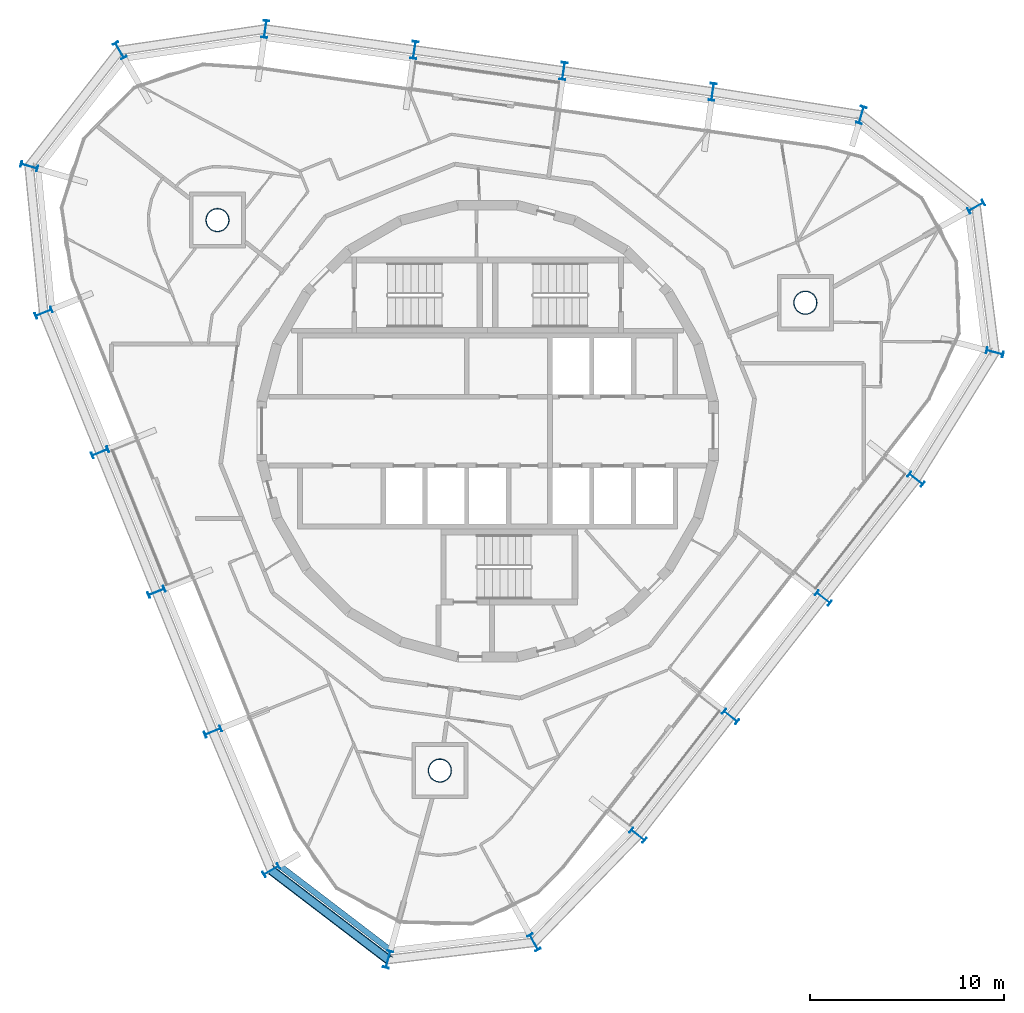
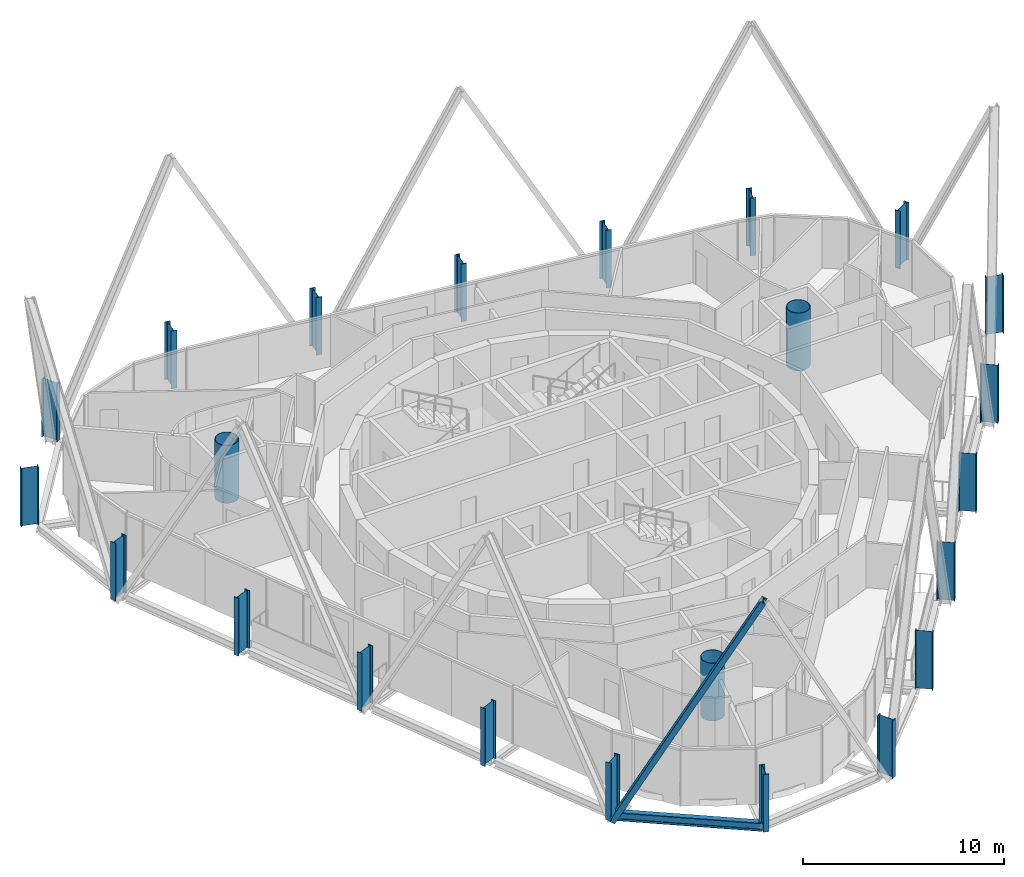
# One storey, part 1 of 15: 23 columns, 1 beam, 1 member.
"""IFC4 building model written with IfcOpenShell, lengths in metres."""

from ifc_helpers import new_model, si_unit, direction, frame, origin, origin_2d, place, context, subcontext, project, spatial, hollow_circle, i_section, extrude, material, material_profile, profile_set, type_object, element, save


model = new_model("IFC4")

# Units and contexts
model_context = context("Model", 3, precision=1e-05, world=origin(), true_north=direction((0.0, 1.0)))
body_context = subcontext(model_context, "Body", "Model", "MODEL_VIEW")
ifc_project = project(units=[si_unit("LENGTHUNIT", "METRE"), si_unit("AREAUNIT", "SQUARE_METRE"), si_unit("VOLUMEUNIT", "CUBIC_METRE"), si_unit("PLANEANGLEUNIT", "RADIAN"), si_unit("MASSUNIT", "GRAM", prefix="KILO")], contexts=[model_context])

# Site, building, storey
site_placement = place(None, origin())
site = spatial("IfcSite", under=ifc_project, at=site_placement, CompositionType="ELEMENT")
building_placement = place(site_placement, origin())
building = spatial("IfcBuilding", under=site, at=building_placement, Name="Spindle Arch Residences", CompositionType="ELEMENT")
storey_placement = place(building_placement, frame((0.0, 0.0, 347.0)))
storey = spatial("IfcBuildingStorey", under=building, at=storey_placement, Name="L89", CompositionType="ELEMENT", Elevation=347.0)

# Columns
ifc_material_1 = material(Name="Steel S460ML, intumescent coating R 240", Category="steel")
ifc_material_profile_1 = material_profile(ifc_material_1, i_section(OverallWidth=0.300048828125, OverallDepth=0.89990234375, WebThickness=0.0185546875, FlangeThickness=0.034912109375, FilletRadius=0.030029296875, at=origin_2d()), Name="HEB 900")
ifc_profile_set_1 = profile_set([ifc_material_profile_1], Name="Steel S460ML, intumescent coating R 240")
column_type_1 = type_object("IfcColumnType", Name="Exoskeleton post HEB 900", PredefinedType="COLUMN", material=ifc_profile_set_1)
for number, where, z_axis, x_axis, name in (
    (1, (17.314208984375, -8.60009765625, -0.3798828125), (0.0, 0.0, 1.0), (-0.615661060634, -0.788011077599, 0.0), "Exoskeleton post 1"),
    (2, (22.09521484375, -2.480712890625, -0.3798828125), (0.0, 0.0, 1.0), (-0.615661060634, -0.788011077599, 0.0), "Exoskeleton post 2"),
    (3, (26.15869140625, 4.05712890625, -0.3798828125), (0.0, 0.0, 1.0), (-0.253940928912, -0.967219729236, 0.0), "Exoskeleton post 3"),
    (4, (25.19384765625, 11.571044921875, -0.3798828125), (0.0, 0.0, 1.0), (0.490023975195, -0.871708955865, 0.0), "Exoskeleton post 4"),
    (5, (19.27587890625, 16.30078125, -0.3798828125), (0.0, 0.0, 1.0), (0.958298489612, -0.285769146005, 0.0), "Exoskeleton post 5"),
    (6, (11.607421875, 17.4931640625, -0.3798828125), (0.0, 0.0, 1.0), (0.990268081324, -0.139173011432, 0.0), "Exoskeleton post 6"),
    (7, (3.91748046875, 18.573974609375, -0.3798828125), (0.0, 0.0, 1.0), (0.990268081324, -0.139173011432, 0.0), "Exoskeleton post 7"),
    (8, (-3.772705078125, 19.65478515625, -0.3798828125), (0.0, 0.0, 1.0), (0.990268081324, -0.139173011432, 0.0), "Exoskeleton post 8"),
    (9, (-11.462646484375, 20.735595703125, -0.3798828125), (0.0, 0.0, 1.0), (0.990268081324, -0.139173011432, 0.0), "Exoskeleton post 9"),
    (10, (-18.9755859375, 19.632080078125, -0.3798828125), (0.0, 0.0, 1.0), (0.866256848037, 0.499598912358, 0.0), "Exoskeleton post 10"),
    (11, (-23.6396484375, 13.662353515625, -0.3798828125), (0.0, 0.0, 1.0), (0.275193000466, 0.96138900165, 0.0), "Exoskeleton post 11"),
    (12, (-22.892578125, 6.105712890625, -0.3798828125), (0.0, 0.0, 1.0), (-0.374606892434, 0.927183733755, 0.0), "Exoskeleton post 12"),
    (13, (-19.983642578125, -1.094482421875, -0.3798828125), (0.0, 0.0, 1.0), (-0.374606892434, 0.927183733755, 0.0), "Exoskeleton post 13"),
    (14, (-17.07470703125, -8.29443359375, -0.3798828125), (0.0, 0.0, 1.0), (-0.374606892434, 0.927183733755, 0.0), "Exoskeleton post 14"),
    (15, (-14.16552734375, -15.49462890625, -0.3798828125), (0.0, 0.0, 1.0), (-0.374606892434, 0.927183733755, 0.0), "Exoskeleton post 15"),
    (16, (-11.1533203125, -22.64697265625, -0.3798828125), (0.0, 0.0, 1.0), (-0.509114042361, 0.86069907161, 0.0), "Exoskeleton post 16"),
    (17, (-5.13232421875, -27.244873046875, -0.3798828125), (0.0, 0.0, 1.0), (-0.964362923017, 0.264582978873, 0.0), "Exoskeleton post 17"),
    (18, (2.391845703125, -26.363037109375, -0.3798828125), (0.0, 0.0, 1.0), (-0.877055410309, -0.480389224741, 0.0), "Exoskeleton post 18"),
    (19, (7.752197265625, -20.838623046875, -0.3798828125), (0.0, 0.0, 1.0), (-0.615661060634, -0.788011077599, 0.0), "Exoskeleton post 19"),
    (20, (12.533203125, -14.71923828125, -0.3798828125), (0.0, 0.0, 1.0), (-0.615661060634, -0.788011077599, 0.0), "Exoskeleton post 20"),
):
    element("IfcColumn", number, at=place(storey_placement, frame(where, z_axis=z_axis, x_axis=x_axis)), inside=storey, type_object=column_type_1, Name=name, PredefinedType="COLUMN", context=body_context, shape_type="SweptSolid", body=[
        extrude(i_section(OverallWidth=0.300048828125, OverallDepth=0.89990234375, WebThickness=0.0185546875, FlangeThickness=0.034912109375, FilletRadius=0.030029296875, at=origin_2d()), origin(), (0.0, 0.0, 1.0), 3.5),
    ])
ifc_material_2 = material(Name="Concrete C50/60 filled steel tube S460ML, intumescent coating R 240", Category="concrete")
ifc_material_profile_2 = material_profile(ifc_material_2, hollow_circle(Radius=0.60009765625, WallThickness=0.030029296875, at=origin_2d()), Name="CFT D1200x30")
ifc_profile_set_2 = profile_set([ifc_material_profile_2], Name="Concrete C50/60 filled steel tube S460ML, intumescent coating R 240")
column_type_2 = type_object("IfcColumnType", Name="Mega-column CFT D1200x30", PredefinedType="COLUMN", material=ifc_profile_set_2)
for number, where, z_axis, x_axis, name in (
    (21, (16.3896484375, 6.621826171875, -0.3798828125), (0.0, 0.0, 1.0), (1.0, 0.0, 0.0), "Mega-column 1"),
    (22, (-13.929443359375, 10.883056640625, -0.3798828125), (0.0, 0.0, 1.0), (1.0, 0.0, 0.0), "Mega-column 2"),
    (23, (-2.460205078125, -17.5048828125, -0.3798828125), (0.0, 0.0, 1.0), (1.0, 0.0, 0.0), "Mega-column 3"),
):
    element("IfcColumn", number, at=place(storey_placement, frame(where, z_axis=z_axis, x_axis=x_axis)), inside=storey, type_object=column_type_2, Name=name, PredefinedType="COLUMN", context=body_context, shape_type="SweptSolid", body=[
        extrude(hollow_circle(Radius=0.60009765625, WallThickness=0.030029296875, at=origin_2d()), origin(), (0.0, 0.0, 1.0), 3.5),
    ])

# Member
ifc_material_3 = material(Name="Steel S460ML, intumescent coating R 240", Category="steel")
ifc_material_profile_3 = material_profile(ifc_material_3, i_section(OverallWidth=0.300048828125, OverallDepth=0.5, WebThickness=0.014404296875, FlangeThickness=0.028076171875, FilletRadius=0.027099609375, at=origin_2d()), Name="HEB 500")
ifc_profile_set_3 = profile_set([ifc_material_profile_3], Name="Steel S460ML, intumescent coating R 240")
member_type = type_object("IfcMemberType", Name="Diagrid diagonal HEB 500", PredefinedType="BRACE", material=ifc_profile_set_3)
member_placement = place(storey_placement, frame((-11.1533203125, -22.64697265625, -0.6298828125), z_axis=(0.378243060196, -0.288843222475, 0.879489499792), x_axis=(-0.698987212863, 0.533777721995, 0.47591829105)))
element("IfcMember", 24, at=member_placement, inside=storey, type_object=member_type, Name="Diagrid diagonal 9.2.16", PredefinedType="BRACE", context=body_context, shape_type="SweptSolid", body=[
    extrude(i_section(OverallWidth=0.300048828125, OverallDepth=0.5, WebThickness=0.014404296875, FlangeThickness=0.028076171875, FilletRadius=0.027099609375, at=origin_2d()), origin(), (0.0, 0.0, 1.0), 15.918212890625),
])

# Beam
ifc_material_4 = material(Name="Steel S460ML, intumescent coating R 120", Category="steel")
ifc_material_profile_4 = material_profile(ifc_material_4, i_section(OverallWidth=0.300048828125, OverallDepth=0.5, WebThickness=0.014404296875, FlangeThickness=0.028076171875, FilletRadius=0.027099609375, at=origin_2d()), Name="HEB 500")
ifc_profile_set_4 = profile_set([ifc_material_profile_4], Name="Steel S460ML, intumescent coating R 120")
beam_type = type_object("IfcBeamType", Name="Exoskeleton edge beam HEB 500", PredefinedType="BEAM", material=ifc_profile_set_4)
beam_placement = place(storey_placement, frame((-10.77685546875, -22.3681640625, -0.6298828125), z_axis=(0.794751716533, -0.606934682703, 0.0), x_axis=(0.606934682703, 0.794751716533, 0.0)))
element("IfcBeam", 25, at=beam_placement, inside=storey, type_object=beam_type, Name="Exoskeleton edge beam 16", PredefinedType="BEAM", context=body_context, shape_type="SweptSolid", body=[
    extrude(i_section(OverallWidth=0.300048828125, OverallDepth=0.5, WebThickness=0.014404296875, FlangeThickness=0.028076171875, FilletRadius=0.027099609375, at=origin_2d()), origin(), (0.0, 0.0, 1.0), 7.315673828125),
])

save(model, "model.ifc")
